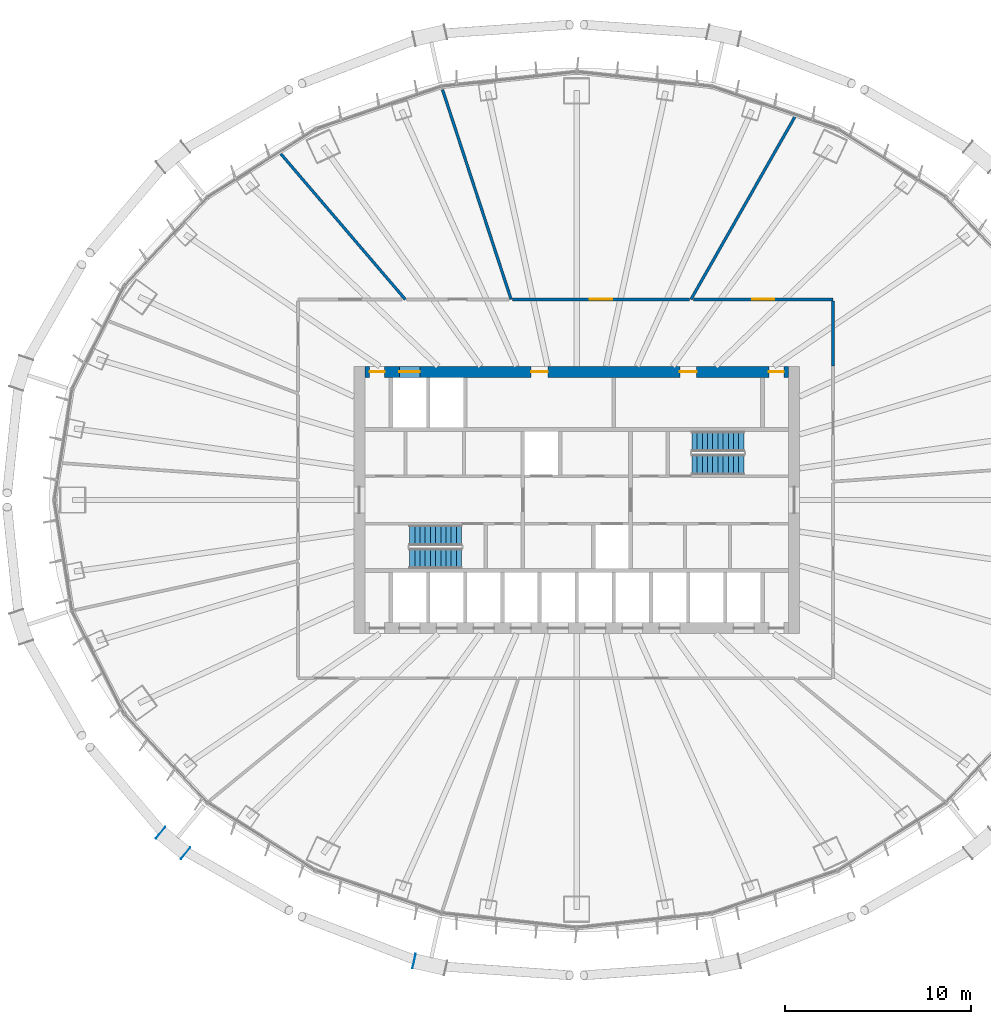
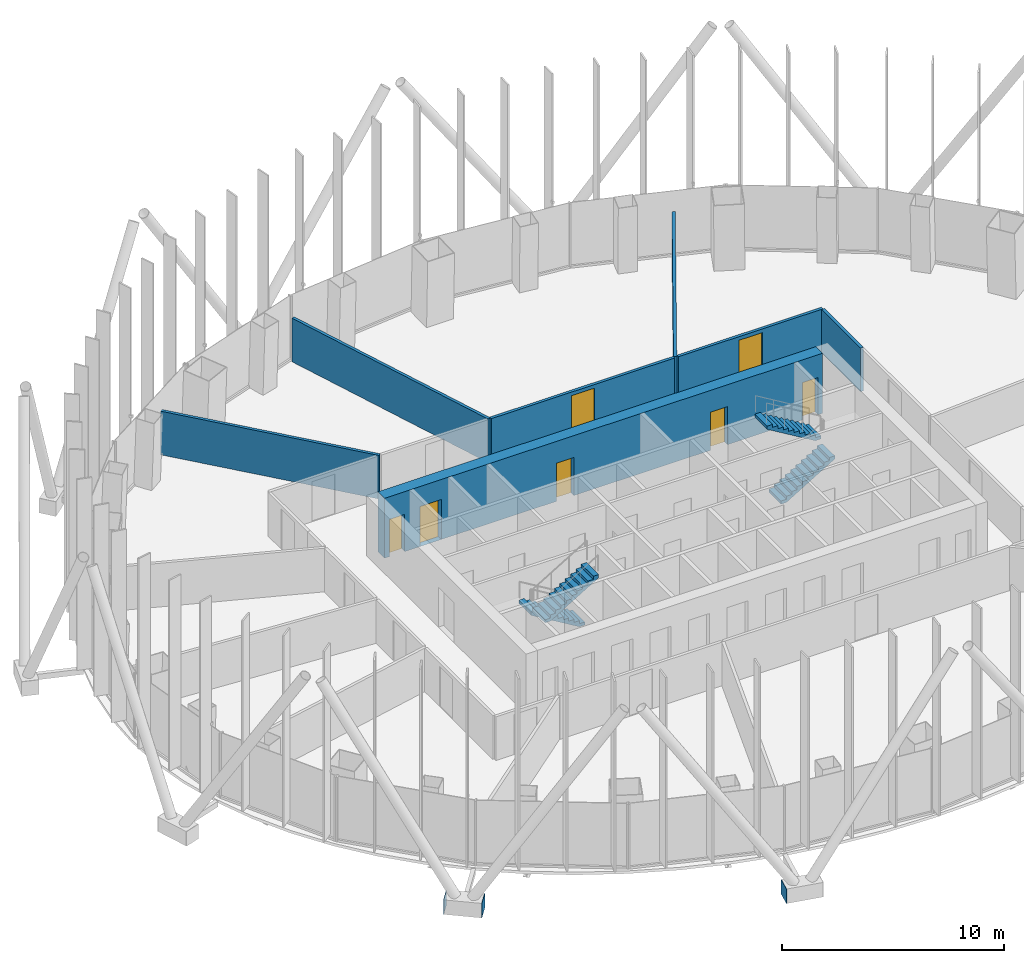
# One storey, part 10 of 22: 7 doors, 7 walls, 4 stair flights, 3 discrete accessories, 7 openings, 2 elements without a shape of their own.
"""IFC4 building model written with IfcOpenShell, lengths in metres."""

from ifc_helpers import new_model, si_unit, direction, frame, frame_2d, origin, origin_2d, place, context, subcontext, project, spatial, polyline, rectangle, outline, extrude, material, layer, layer_set, type_object, element, fill, aggregate, save


model = new_model("IFC4")

# Units and contexts
model_context = context("Model", 3, precision=1e-05, world=origin(), true_north=direction((0.0, 1.0)))
body_context = subcontext(model_context, "Body", "Model", "MODEL_VIEW")
ifc_project = project(units=[si_unit("LENGTHUNIT", "METRE"), si_unit("AREAUNIT", "SQUARE_METRE"), si_unit("VOLUMEUNIT", "CUBIC_METRE"), si_unit("PLANEANGLEUNIT", "RADIAN"), si_unit("MASSUNIT", "GRAM", prefix="KILO")], contexts=[model_context])

# Site, building, storey
site_placement = place(None, origin())
site = spatial("IfcSite", under=ifc_project, at=site_placement, CompositionType="ELEMENT")
building_placement = place(site_placement, origin())
building = spatial("IfcBuilding", under=site, at=building_placement, Name="Siaravel Broadcast Tower", CompositionType="ELEMENT")
storey_placement = place(building_placement, frame((0.0, 0.0, 37.10009765625)))
storey = spatial("IfcBuildingStorey", under=building, at=storey_placement, Name="L07", CompositionType="ELEMENT", Elevation=37.10009765625)

# Wall, openings, doors
ifc_material_1 = material(Name="Concrete C60/75", Category="concrete")
ifc_layer_1 = layer(ifc_material_1, 0.60009765625)
ifc_layer_set_1 = layer_set([ifc_layer_1], Name="Concrete C60/75")
wall_type_1 = type_object("IfcWallType", Name="Core wall 600", PredefinedType="SHEAR", material=ifc_layer_set_1)
wall_1_placement = place(storey_placement, frame((-11.39990234375, 6.89990234375, 0.0), z_axis=(0.0, 0.0, 1.0), x_axis=(1.0, 0.0, 0.0)))
wall_1 = element("IfcWall", 1, at=wall_1_placement, inside=storey, type_object=wall_type_1, Name="L07 core wall ON", PredefinedType="SHEAR", context=body_context, shape_type="SweptSolid", body=[
    extrude(rectangle(XDim=22.7998046875, YDim=0.60009765625, at=frame_2d((11.39990234375, 0.0))), origin(), (0.0, 0.0, 1.0), 3.2998046875),
])
opening_1_placement = place(wall_1_placement, frame((1.85009765625, 0.0, 0.0)))
opening_1 = element("IfcOpeningElement", 2, at=opening_1_placement, cuts=wall_1, Name="Opening LD-SV2-L07", PredefinedType="OPENING", context=body_context, shape_type="SweptSolid", body=[
    extrude(rectangle(XDim=1.10009765625, YDim=2.199951171875, at=frame_2d((0.550048828125, 1.10009765625))), frame((0.0, 0.31005859375, 0.0), z_axis=(0.0, -1.0, 0.0), x_axis=(1.0, 0.0, 0.0)), (0.0, 0.0, 1.0), 0.6201171875),
])
opening_2_placement = place(wall_1_placement, frame((8.949951171875, 0.0, 0.0)))
opening_2 = element("IfcOpeningElement", 3, at=opening_2_placement, cuts=wall_1, Name="Opening L07-DFN2", PredefinedType="OPENING", context=body_context, shape_type="SweptSolid", body=[
    extrude(rectangle(XDim=0.89990234375, YDim=2.10009765625, at=frame_2d((0.449951171875, 1.050048828125))), frame((0.0, 0.31005859375, 0.0), z_axis=(0.0, -1.0, 0.0), x_axis=(1.0, 0.0, 0.0)), (0.0, 0.0, 1.0), 0.6201171875),
])
opening_3_placement = place(wall_1_placement, frame((16.949951171875, 0.0, 0.0)))
opening_3 = element("IfcOpeningElement", 4, at=opening_3_placement, cuts=wall_1, Name="Opening L07-DFN6", PredefinedType="OPENING", context=body_context, shape_type="SweptSolid", body=[
    extrude(rectangle(XDim=0.89990234375, YDim=2.10009765625, at=frame_2d((0.449951171875, 1.050048828125))), frame((0.0, 0.31005859375, 0.0), z_axis=(0.0, -1.0, 0.0), x_axis=(1.0, 0.0, 0.0)), (0.0, 0.0, 1.0), 0.6201171875),
])
opening_4_placement = place(wall_1_placement, frame((0.25, 0.0, 0.0)))
opening_4 = element("IfcOpeningElement", 5, at=opening_4_placement, cuts=wall_1, Name="Opening L07-DRNW", PredefinedType="OPENING", context=body_context, shape_type="SweptSolid", body=[
    extrude(rectangle(XDim=0.800048828125, YDim=2.050048828125, at=frame_2d((0.39990234375, 1.02490234375))), frame((0.0, 0.31005859375, 0.0), z_axis=(0.0, -1.0, 0.0), x_axis=(1.0, 0.0, 0.0)), (0.0, 0.0, 1.0), 0.6201171875),
])
opening_5_placement = place(wall_1_placement, frame((21.75, 0.0, 0.0)))
opening_5 = element("IfcOpeningElement", 6, at=opening_5_placement, cuts=wall_1, Name="Opening L07-DRNE", PredefinedType="OPENING", context=body_context, shape_type="SweptSolid", body=[
    extrude(rectangle(XDim=0.800048828125, YDim=2.050048828125, at=frame_2d((0.39990234375, 1.02490234375))), frame((0.0, 0.31005859375, 0.0), z_axis=(0.0, -1.0, 0.0), x_axis=(1.0, 0.0, 0.0)), (0.0, 0.0, 1.0), 0.6201171875),
])
ifc_material_2 = material(Name="Timber veneer", Category="wood")
door_type_1 = type_object("IfcDoorType", Name="Core room door 900", OperationType="SINGLE_SWING_LEFT", PredefinedType="DOOR", material=ifc_material_2)
door_1_placement = place(opening_2_placement, origin())
door_1 = element("IfcDoor", 7, at=door_1_placement, inside=storey, type_object=door_type_1, Name="L07 door DFN2", OperationType="SINGLE_SWING_LEFT", OverallHeight=2.10009765625, OverallWidth=0.89990234375, PredefinedType="DOOR", context=body_context, shape_type="SweptSolid", body=[
    extrude(rectangle(XDim=0.89990234375, YDim=2.10009765625, at=frame_2d((0.449951171875, 1.050048828125))), frame((0.0, 0.02490234375, 0.0), z_axis=(0.0, -1.0, 0.0), x_axis=(1.0, 0.0, 0.0)), (0.0, 0.0, 1.0), 0.050048828125),
])
fill(opening_2, door_1)
door_2_placement = place(opening_3_placement, origin())
door_2 = element("IfcDoor", 8, at=door_2_placement, inside=storey, type_object=door_type_1, Name="L07 door DFN6", OperationType="SINGLE_SWING_LEFT", OverallHeight=2.10009765625, OverallWidth=0.89990234375, PredefinedType="DOOR", context=body_context, shape_type="SweptSolid", body=[
    extrude(rectangle(XDim=0.89990234375, YDim=2.10009765625, at=frame_2d((0.449951171875, 1.050048828125))), frame((0.0, 0.02490234375, 0.0), z_axis=(0.0, -1.0, 0.0), x_axis=(1.0, 0.0, 0.0)), (0.0, 0.0, 1.0), 0.050048828125),
])
fill(opening_3, door_2)
ifc_material_3 = material(Name="Steel", Category="steel")
door_type_2 = type_object("IfcDoorType", Name="Riser door 800", OperationType="SINGLE_SWING_LEFT", PredefinedType="DOOR", material=ifc_material_3)
door_3_placement = place(opening_4_placement, origin())
door_3 = element("IfcDoor", 9, at=door_3_placement, inside=storey, type_object=door_type_2, Name="L07 door DRNW", OperationType="SINGLE_SWING_LEFT", OverallHeight=2.050048828125, OverallWidth=0.800048828125, PredefinedType="DOOR", context=body_context, shape_type="SweptSolid", body=[
    extrude(rectangle(XDim=0.800048828125, YDim=2.050048828125, at=frame_2d((0.39990234375, 1.02490234375))), frame((0.0, 0.02490234375, 0.0), z_axis=(0.0, -1.0, 0.0), x_axis=(1.0, 0.0, 0.0)), (0.0, 0.0, 1.0), 0.050048828125),
])
fill(opening_4, door_3)
door_4_placement = place(opening_5_placement, origin())
door_4 = element("IfcDoor", 10, at=door_4_placement, inside=storey, type_object=door_type_2, Name="L07 door DRNE", OperationType="SINGLE_SWING_LEFT", OverallHeight=2.050048828125, OverallWidth=0.800048828125, PredefinedType="DOOR", context=body_context, shape_type="SweptSolid", body=[
    extrude(rectangle(XDim=0.800048828125, YDim=2.050048828125, at=frame_2d((0.39990234375, 1.02490234375))), frame((0.0, 0.02490234375, 0.0), z_axis=(0.0, -1.0, 0.0), x_axis=(1.0, 0.0, 0.0)), (0.0, 0.0, 1.0), 0.050048828125),
])
fill(opening_5, door_4)
ifc_material_4 = material(Name="Stainless steel 316L", Category="steel")
door_type_3 = type_object("IfcDoorType", Name="Service lift landing door 1100", OperationType="DOUBLE_DOOR_SLIDING", PredefinedType="DOOR", material=ifc_material_4)
door_5_placement = place(opening_1_placement, origin())
door_5 = element("IfcDoor", 11, at=door_5_placement, inside=storey, type_object=door_type_3, Name="Landing door SV2 L07", OperationType="DOUBLE_DOOR_SLIDING", OverallHeight=2.199951171875, OverallWidth=1.10009765625, PredefinedType="DOOR", context=body_context, shape_type="SweptSolid", body=[
    extrude(rectangle(XDim=1.10009765625, YDim=2.199951171875, at=frame_2d((0.550048828125, 1.10009765625))), frame((0.0, 0.02490234375, 0.0), z_axis=(0.0, -1.0, 0.0), x_axis=(1.0, 0.0, 0.0)), (0.0, 0.0, 1.0), 0.050048828125),
])
fill(opening_1, door_5)

# Wall, opening, door
ifc_material_5 = material(Name="Gypsum board partition", Category="gypsum")
ifc_layer_2 = layer(ifc_material_5, 0.14990234375)
ifc_layer_set_2 = layer_set([ifc_layer_2], Name="Gypsum board partition")
wall_type_2 = type_object("IfcWallType", Name="Corridor wall 150", PredefinedType="PARTITIONING", material=ifc_layer_set_2)
wall_2_placement = place(storey_placement, frame((6.0810546875, 10.800048828125, 0.0), z_axis=(0.0, 0.0, 1.0), x_axis=(-1.0, 0.0, 0.0)))
wall_2 = element("IfcWall", 12, at=wall_2_placement, inside=storey, type_object=wall_type_2, Name="L07 partition 12", PredefinedType="PARTITIONING", context=body_context, shape_type="SweptSolid", body=[
    extrude(rectangle(XDim=9.540771484375, YDim=0.14990234375, at=frame_2d((4.7705078125, 0.0))), origin(), (0.0, 0.0, 1.0), 2.39990234375),
])
opening_6_placement = place(wall_2_placement, frame((4.17041015625, 0.0, 0.0)))
opening_6 = element("IfcOpeningElement", 13, at=opening_6_placement, cuts=wall_2, Name="Opening L07-005", PredefinedType="OPENING", context=body_context, shape_type="SweptSolid", body=[
    extrude(rectangle(XDim=1.199951171875, YDim=2.199951171875, at=frame_2d((0.60009765625, 1.10009765625))), frame((0.0, 0.0849609375, 0.0), z_axis=(0.0, -1.0, 0.0), x_axis=(1.0, 0.0, 0.0)), (0.0, 0.0, 1.0), 0.169921875),
])
door_type_4 = type_object("IfcDoorType", Name="Office double door 1200", OperationType="DOUBLE_DOOR_SINGLE_SWING", PredefinedType="DOOR", material=ifc_material_2)
door_6_placement = place(opening_6_placement, origin())
door_6 = element("IfcDoor", 14, at=door_6_placement, inside=storey, type_object=door_type_4, Name="L07 door to Open plan newsroom", OperationType="DOUBLE_DOOR_SINGLE_SWING", OverallHeight=2.199951171875, OverallWidth=1.199951171875, PredefinedType="DOOR", context=body_context, shape_type="SweptSolid", body=[
    extrude(rectangle(XDim=1.199951171875, YDim=2.199951171875, at=frame_2d((0.60009765625, 1.10009765625))), frame((0.0, 0.02490234375, 0.0), z_axis=(0.0, -1.0, 0.0), x_axis=(1.0, 0.0, 0.0)), (0.0, 0.0, 1.0), 0.050048828125),
])
fill(opening_6, door_6)

wall_3_placement = place(storey_placement, frame((13.800048828125, 10.800048828125, 0.0), z_axis=(0.0, 0.0, 1.0), x_axis=(-1.0, 0.0, 0.0)))
wall_3 = element("IfcWall", 15, at=wall_3_placement, inside=storey, type_object=wall_type_2, Name="L07 partition 15", PredefinedType="PARTITIONING", context=body_context, shape_type="SweptSolid", body=[
    extrude(rectangle(XDim=7.520751953125, YDim=0.14990234375, at=frame_2d((3.76025390625, 0.0))), origin(), (0.0, 0.0, 1.0), 2.39990234375),
])
opening_7_placement = place(wall_3_placement, frame((3.160400390625, 0.0, 0.0)))
opening_7 = element("IfcOpeningElement", 16, at=opening_7_placement, cuts=wall_3, Name="Opening L07-003", PredefinedType="OPENING", context=body_context, shape_type="SweptSolid", body=[
    extrude(rectangle(XDim=1.199951171875, YDim=2.199951171875, at=frame_2d((0.60009765625, 1.10009765625))), frame((0.0, 0.0849609375, 0.0), z_axis=(0.0, -1.0, 0.0), x_axis=(1.0, 0.0, 0.0)), (0.0, 0.0, 1.0), 0.169921875),
])
door_7_placement = place(opening_7_placement, origin())
door_7 = element("IfcDoor", 17, at=door_7_placement, inside=storey, type_object=door_type_4, Name="L07 door to Open plan newsroom", OperationType="DOUBLE_DOOR_SINGLE_SWING", OverallHeight=2.199951171875, OverallWidth=1.199951171875, PredefinedType="DOOR", context=body_context, shape_type="SweptSolid", body=[
    extrude(rectangle(XDim=1.199951171875, YDim=2.199951171875, at=frame_2d((0.60009765625, 1.10009765625))), frame((0.0, 0.02490234375, 0.0), z_axis=(0.0, -1.0, 0.0), x_axis=(1.0, 0.0, 0.0)), (0.0, 0.0, 1.0), 0.050048828125),
])
fill(opening_7, door_7)

# Walls
wall_4_placement = place(storey_placement, frame((13.800048828125, 7.212890625, 0.0), z_axis=(0.0, 0.0, 1.0), x_axis=(0.0, 1.0, 0.0)))
element("IfcWall", 18, at=wall_4_placement, inside=storey, type_object=wall_type_2, Name="L07 partition 23", PredefinedType="PARTITIONING", context=body_context, shape_type="SweptSolid", body=[
    extrude(rectangle(XDim=3.510009765625, YDim=0.14990234375, at=frame_2d((1.7548828125, 0.0))), origin(), (0.0, 0.0, 1.0), 2.39990234375),
])
ifc_layer_3 = layer(ifc_material_5, 0.14990234375)
ifc_layer_set_3 = layer_set([ifc_layer_3], Name="Gypsum board partition")
wall_type_3 = type_object("IfcWallType", Name="Room partition 150", PredefinedType="PARTITIONING", material=ifc_layer_set_3)
wall_5_placement = place(storey_placement, frame((-7.2265625, 22.091796875, 0.0), z_axis=(0.0, 0.0, 1.0), x_axis=(0.310896301, -0.950443838, 0.0)))
element("IfcWall", 19, at=wall_5_placement, inside=storey, type_object=wall_type_3, Name="L07 partition 6", PredefinedType="PARTITIONING", context=body_context, shape_type="SweptSolid", body=[
    extrude(rectangle(XDim=11.880615234375, YDim=0.14990234375, at=frame_2d((5.9404296875, 0.0))), origin(), (0.0, 0.0, 1.0), 2.39990234375),
])
wall_6_placement = place(storey_placement, frame((11.80078125, 20.729248046875, 0.0), z_axis=(0.0, 0.0, 1.0), x_axis=(-0.49473687, -0.869042824, 0.0)))
element("IfcWall", 20, at=wall_6_placement, inside=storey, type_object=wall_type_3, Name="L07 partition 7", PredefinedType="PARTITIONING", context=body_context, shape_type="SweptSolid", body=[
    extrude(rectangle(XDim=11.425537109375, YDim=0.14990234375, at=frame_2d((5.712890625, 0.0))), origin(), (0.0, 0.0, 1.0), 2.39990234375),
])
wall_7_placement = place(storey_placement, frame((-16.019287109375, 18.739501953125, 0.0), z_axis=(0.0, 0.0, 1.0), x_axis=(0.649776357, -0.760125441, 0.0)))
element("IfcWall", 21, at=wall_7_placement, inside=storey, type_object=wall_type_3, Name="L07 partition 9", PredefinedType="PARTITIONING", context=body_context, shape_type="SweptSolid", body=[
    extrude(rectangle(XDim=10.44482421875, YDim=0.14990234375, at=frame_2d((5.222412109375, 0.0))), origin(), (0.0, 0.0, 1.0), 2.39990234375),
])

# Stair, stair flights
ifc_material_6 = material(Name="Concrete C40/50", Category="concrete")
stair_type = type_object("IfcStairType", Name="Core exit stair", PredefinedType="HALF_TURN_STAIR", material=ifc_material_6)
stair_1_placement = place(storey_placement, origin())
stair_1 = element("IfcStair", 22, at=stair_1_placement, inside=storey, type_object=stair_type, Name="L07 Exit stair ST-1", PredefinedType="HALF_TURN_STAIR")
stair_flight_type = type_object("IfcStairFlightType", Name="Stair flight 1100", PredefinedType="STRAIGHT", material=ifc_material_6)
stair_flight_1_placement = place(storey_placement, frame((-6.199951171875, -1.89990234375, 0.0), z_axis=(0.0, 0.0, 1.0), x_axis=(-1.0, 0.0, 0.0)))
stair_flight_1 = element("IfcStairFlight", 23, at=stair_flight_1_placement, type_object=stair_flight_type, Name="ST-1 flight 1", NumberOfRisers=11, NumberOfTreads=10, PredefinedType="STRAIGHT", RiserHeight=0.1681818, TreadLength=0.28, context=body_context, shape_type="SweptSolid", body=[
    extrude(outline(polyline([(0.0, 0.0), (0.0, 0.168212890625), (0.280029296875, 0.168212890625), (0.280029296875, 0.33642578125), (0.56005859375, 0.33642578125), (0.56005859375, 0.504638671875), (0.840087890625, 0.504638671875), (0.840087890625, 0.672607421875), (1.1201171875, 0.672607421875), (1.1201171875, 0.8408203125), (1.39990234375, 0.8408203125), (1.39990234375, 1.009033203125), (1.679931640625, 1.009033203125), (1.679931640625, 1.17724609375), (1.9599609375, 1.17724609375), (1.9599609375, 1.345458984375), (2.239990234375, 1.345458984375), (2.239990234375, 1.513671875), (2.52001953125, 1.513671875), (2.52001953125, 1.681884765625), (2.800048828125, 1.681884765625), (2.800048828125, 1.85009765625), (2.800048828125, 1.5068359375), (0.291015625, 0.0), (0.0, 0.0)])), frame((0.0, 0.550048828125, 0.0), z_axis=(0.0, -1.0, 0.0), x_axis=(1.0, 0.0, 0.0)), (0.0, 0.0, 1.0), 1.10009765625),
])
stair_flight_2_placement = place(storey_placement, frame((-9.0, -3.14990234375, 1.849853515625), z_axis=(0.0, 0.0, 1.0), x_axis=(1.0, 0.0, 0.0)))
stair_flight_2 = element("IfcStairFlight", 24, at=stair_flight_2_placement, type_object=stair_flight_type, Name="ST-1 flight 2", NumberOfRisers=11, NumberOfTreads=10, PredefinedType="STRAIGHT", RiserHeight=0.1681818, TreadLength=0.28, context=body_context, shape_type="SweptSolid", body=[
    extrude(outline(polyline([(0.0, 0.0), (0.0, 0.168212890625), (0.280029296875, 0.168212890625), (0.280029296875, 0.33642578125), (0.56005859375, 0.33642578125), (0.56005859375, 0.504638671875), (0.840087890625, 0.504638671875), (0.840087890625, 0.672607421875), (1.1201171875, 0.672607421875), (1.1201171875, 0.8408203125), (1.39990234375, 0.8408203125), (1.39990234375, 1.009033203125), (1.679931640625, 1.009033203125), (1.679931640625, 1.17724609375), (1.9599609375, 1.17724609375), (1.9599609375, 1.345458984375), (2.239990234375, 1.345458984375), (2.239990234375, 1.513671875), (2.52001953125, 1.513671875), (2.52001953125, 1.681884765625), (2.800048828125, 1.681884765625), (2.800048828125, 1.85009765625), (2.800048828125, 1.5068359375), (0.291015625, 0.0), (0.0, 0.0)])), frame((0.0, 0.550048828125, 0.0), z_axis=(0.0, -1.0, 0.0), x_axis=(1.0, 0.0, 0.0)), (0.0, 0.0, 1.0), 1.10009765625),
])
aggregate(stair_1, [stair_flight_1, stair_flight_2])

stair_2_placement = place(storey_placement, origin())
stair_2 = element("IfcStair", 25, at=stair_2_placement, inside=storey, type_object=stair_type, Name="L07 Exit stair ST-2", PredefinedType="HALF_TURN_STAIR")
stair_flight_3_placement = place(storey_placement, frame((6.199951171875, 1.89990234375, 0.0), z_axis=(0.0, 0.0, 1.0), x_axis=(1.0, 0.0, 0.0)))
stair_flight_3 = element("IfcStairFlight", 26, at=stair_flight_3_placement, type_object=stair_flight_type, Name="ST-2 flight 1", NumberOfRisers=11, NumberOfTreads=10, PredefinedType="STRAIGHT", RiserHeight=0.1681818, TreadLength=0.28, context=body_context, shape_type="SweptSolid", body=[
    extrude(outline(polyline([(0.0, 0.0), (0.0, 0.168212890625), (0.280029296875, 0.168212890625), (0.280029296875, 0.33642578125), (0.56005859375, 0.33642578125), (0.56005859375, 0.504638671875), (0.840087890625, 0.504638671875), (0.840087890625, 0.672607421875), (1.1201171875, 0.672607421875), (1.1201171875, 0.8408203125), (1.39990234375, 0.8408203125), (1.39990234375, 1.009033203125), (1.679931640625, 1.009033203125), (1.679931640625, 1.17724609375), (1.9599609375, 1.17724609375), (1.9599609375, 1.345458984375), (2.239990234375, 1.345458984375), (2.239990234375, 1.513671875), (2.52001953125, 1.513671875), (2.52001953125, 1.681884765625), (2.800048828125, 1.681884765625), (2.800048828125, 1.85009765625), (2.800048828125, 1.5068359375), (0.291015625, 0.0), (0.0, 0.0)])), frame((0.0, 0.550048828125, 0.0), z_axis=(0.0, -1.0, 0.0), x_axis=(1.0, 0.0, 0.0)), (0.0, 0.0, 1.0), 1.10009765625),
])
stair_flight_4_placement = place(storey_placement, frame((9.0, 3.14990234375, 1.849853515625), z_axis=(0.0, 0.0, 1.0), x_axis=(-1.0, 0.0, 0.0)))
stair_flight_4 = element("IfcStairFlight", 27, at=stair_flight_4_placement, type_object=stair_flight_type, Name="ST-2 flight 2", NumberOfRisers=11, NumberOfTreads=10, PredefinedType="STRAIGHT", RiserHeight=0.1681818, TreadLength=0.28, context=body_context, shape_type="SweptSolid", body=[
    extrude(outline(polyline([(0.0, 0.0), (0.0, 0.168212890625), (0.280029296875, 0.168212890625), (0.280029296875, 0.33642578125), (0.56005859375, 0.33642578125), (0.56005859375, 0.504638671875), (0.840087890625, 0.504638671875), (0.840087890625, 0.672607421875), (1.1201171875, 0.672607421875), (1.1201171875, 0.8408203125), (1.39990234375, 0.8408203125), (1.39990234375, 1.009033203125), (1.679931640625, 1.009033203125), (1.679931640625, 1.17724609375), (1.9599609375, 1.17724609375), (1.9599609375, 1.345458984375), (2.239990234375, 1.345458984375), (2.239990234375, 1.513671875), (2.52001953125, 1.513671875), (2.52001953125, 1.681884765625), (2.800048828125, 1.681884765625), (2.800048828125, 1.85009765625), (2.800048828125, 1.5068359375), (0.291015625, 0.0), (0.0, 0.0)])), frame((0.0, 0.550048828125, 0.0), z_axis=(0.0, -1.0, 0.0), x_axis=(1.0, 0.0, 0.0)), (0.0, 0.0, 1.0), 1.10009765625),
])
aggregate(stair_2, [stair_flight_3, stair_flight_4])

# Discrete accessories
ifc_material_7 = material(Name="Steel S355", Category="steel")
ifc_layer_4 = layer(ifc_material_7, 0.02001953125)
ifc_layer_set_4 = layer_set([ifc_layer_4], Name="Steel S355")
discrete_accessory_type = type_object("IfcDiscreteAccessoryType", Name="Steel end plate 20 mm", PredefinedType="USERDEFINED", material=ifc_layer_set_4)
for number, where, z_axis, x_axis, name in (
    (28, (-21.05859375, -19.014404296875, -0.60009765625), (0.0, 0.0, 1.0), (0.773604694, -0.633668508, 0.0), "End plate R04 station 45A"),
    (29, (-22.4052734375, -17.9111328125, -0.60009765625), (0.0, 0.0, 1.0), (0.773604694, -0.633668508, 0.0), "End plate R04 station 45B"),
    (30, (-8.759033203125, -24.825927734375, -0.60009765625), (0.0, 0.0, 1.0), (0.976750917, -0.214377344, 0.0), "End plate R04 station 51B"),
):
    element("IfcDiscreteAccessory", number, at=place(storey_placement, frame(where, z_axis=z_axis, x_axis=x_axis)), inside=storey, type_object=discrete_accessory_type, Name=name, ObjectType="END PLATE", PredefinedType="USERDEFINED", context=body_context, shape_type="SweptSolid", body=[
        extrude(rectangle(XDim=0.02001953125, YDim=0.800048828125, at=origin_2d()), origin(), (0.0, 0.0, 1.0), 0.800048828125),
    ])

save(model, "model.ifc")
